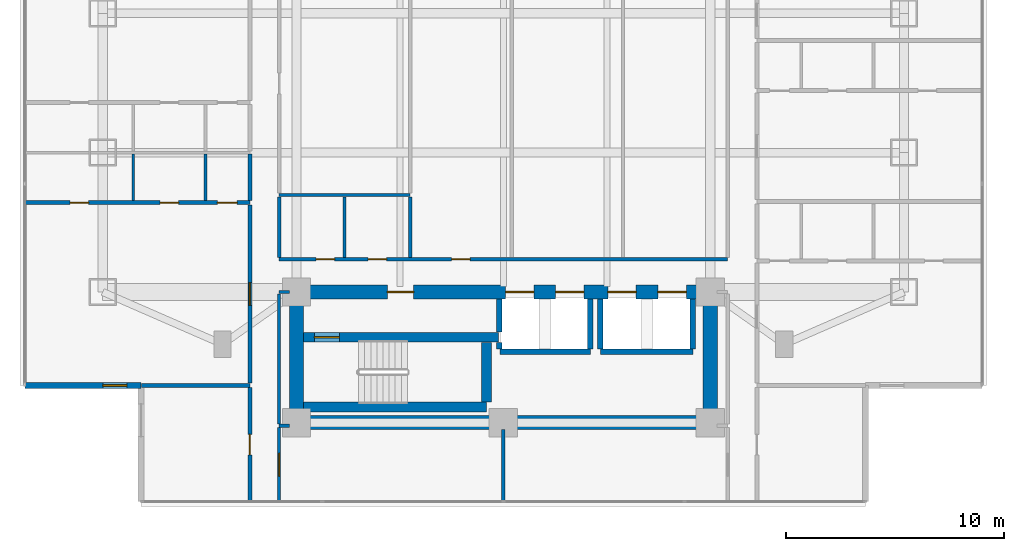
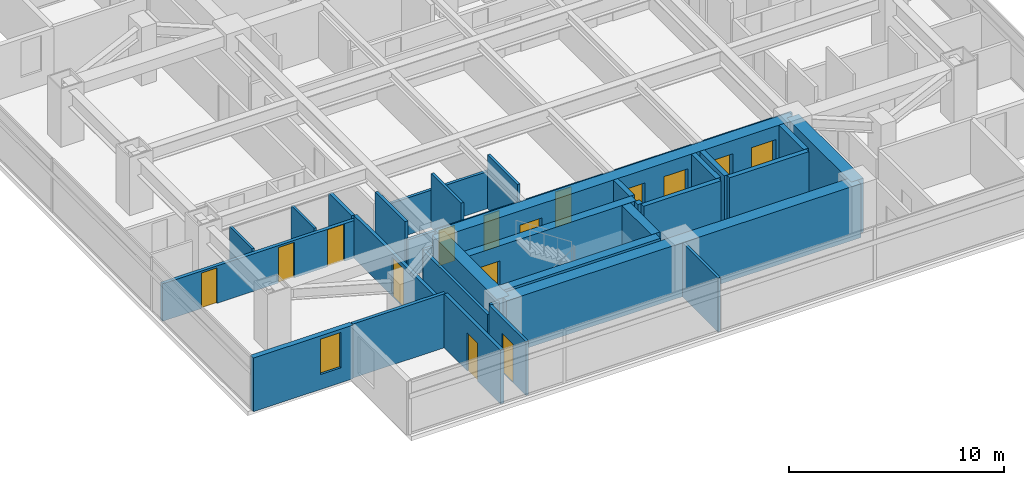
# One storey, part 13 of 24: 32 walls, 15 doors, 1 window, 16 openings.
"""IFC4 building model written with IfcOpenShell, lengths in metres."""

import ifcopenshell
import ifcopenshell.guid

model = None  # the IFC model being written
_history = None  # IfcOwnerHistory: only IFC2X3 demands one
_inside = {}  # id of a spatial element -> (the spatial element, [elements in it])
_under = {}  # id of a project, library or spatial element -> (it, [spatial elements below it])
_declared = {}  # id of a project -> (the project, [libraries it declares])
_typed = {}  # id of a type object -> (the type object, [elements of that type])
_made_of = {}  # id of a material, layer set ... -> (it, [elements and type objects made of it])


def new_model(schema):
    """Start an empty IFC model of exactly this schema.

    Asked for "IFC4X3", IfcOpenShell would pick the latest addendum, in which some entities
    have other attributes; the version numbers below select the first issue.
    IFC2X3 requires an IfcOwnerHistory on every rooted entity: one is made here for all.
    """
    global model, _history
    if schema == "IFC4X3":
        model = ifcopenshell.file(schema_version=(4, 3, 0, 0))
    else:
        model = ifcopenshell.file(schema=schema)
    _inside.clear()
    _under.clear()
    _declared.clear()
    _typed.clear()
    _made_of.clear()
    _history = None
    if model.schema == "IFC2X3":
        org = make("IfcOrganization", Name="unknown")
        user = make(
            "IfcPersonAndOrganization",
            ThePerson=make("IfcPerson", FamilyName="unknown"),
            TheOrganization=org,
        )
        app = make(
            "IfcApplication",
            ApplicationDeveloper=org,
            Version="unknown",
            ApplicationFullName="unknown",
            ApplicationIdentifier="unknown",
        )
        _history = make(
            "IfcOwnerHistory",
            OwningUser=user,
            OwningApplication=app,
            ChangeAction="ADDED",
            CreationDate=0,
        )
    return model


def make(cls, **values):
    """One entity of the class cls with the attributes given. An attribute that is None is left unset."""
    return model.create_entity(
        cls, **{name: value for name, value in values.items() if value is not None}
    )


def rooted(cls, **values):
    """An entity with a GlobalId (a new one), such as an element, a storey or a relation."""
    return make(cls, GlobalId=ifcopenshell.guid.new(), OwnerHistory=_history, **values)


def si_unit(unit_type, name, prefix=None):
    """IfcSIUnit, for example si_unit("LENGTHUNIT", "METRE", prefix="MILLI")."""
    return make("IfcSIUnit", UnitType=unit_type, Prefix=prefix, Name=name)


def assignment(units):
    """IfcUnitAssignment: the units of a project."""
    return None if units is None else make("IfcUnitAssignment", Units=units)


def point(xyz):
    """IfcCartesianPoint."""
    return None if xyz is None else make("IfcCartesianPoint", Coordinates=xyz)


def direction(xyz):
    """IfcDirection."""
    return None if xyz is None else make("IfcDirection", DirectionRatios=xyz)


def frame(location, z_axis=None, x_axis=None):
    """IfcAxis2Placement3D, a coordinate frame: its origin and axes. An axis left out is left unset."""
    return make(
        "IfcAxis2Placement3D",
        Location=point(location),
        Axis=direction(z_axis),
        RefDirection=direction(x_axis),
    )


def frame_2d(location, x_axis=None):
    """IfcAxis2Placement2D, a coordinate frame in the plane: its origin and x axis."""
    return make(
        "IfcAxis2Placement2D", Location=point(location), RefDirection=direction(x_axis)
    )


def origin():
    """The frame at (0, 0, 0) with its axes left unset."""
    return frame((0.0, 0.0, 0.0))


def place(relative_to, where):
    """IfcLocalPlacement: puts the frame where relative to a parent placement (None: the world)."""
    return make(
        "IfcLocalPlacement", PlacementRelTo=relative_to, RelativePlacement=where
    )


def context(
    kind, dimensions, precision=None, world=None, true_north=None, identifier=None
):
    """IfcGeometricRepresentationContext, for example the 3D "Model" context."""
    return make(
        "IfcGeometricRepresentationContext",
        ContextIdentifier=identifier,
        ContextType=kind,
        CoordinateSpaceDimension=dimensions,
        Precision=precision,
        WorldCoordinateSystem=world,
        TrueNorth=true_north,
    )


def subcontext(parent, identifier, kind, view, scale=None):
    """IfcGeometricRepresentationSubContext, for example "Body" below "Model"."""
    return make(
        "IfcGeometricRepresentationSubContext",
        ContextIdentifier=identifier,
        ContextType=kind,
        ParentContext=parent,
        TargetScale=scale,
        TargetView=view,
    )


def project(units=None, contexts=None):
    """IfcProject with its units and contexts."""
    return rooted(
        "IfcProject",
        Name="project",
        RepresentationContexts=contexts,
        UnitsInContext=assignment(units),
    )


def spatial(cls, under=None, at=None, **own):
    """A site, building, storey or space (cls), placed at a placement, below another one or the project."""
    s = rooted(cls, ObjectPlacement=at, **own)
    if under is not None:
        _under.setdefault(under.id(), (under, []))[1].append(s)
    return s


def profile(cls, at=None, kind="AREA", **sizes):
    """A parametric profile (cls). Its sizes go by their IFC names, for example OverallWidth=200.0."""
    return make(cls, ProfileType=kind, Position=at, **sizes)


def rectangle(**sizes):
    """IfcRectangleProfileDef."""
    return profile("IfcRectangleProfileDef", **sizes)


def extrude(swept, where, along, depth):
    """IfcExtrudedAreaSolid: the profile swept, set in the frame where, extruded along a direction by depth."""
    return make(
        "IfcExtrudedAreaSolid",
        SweptArea=swept,
        Position=where,
        ExtrudedDirection=direction(along),
        Depth=depth,
    )


def shape(context_of_items, identifier, shape_type, items):
    """IfcShapeRepresentation: the items that make up one representation, for example the "Body"."""
    return make(
        "IfcShapeRepresentation",
        ContextOfItems=context_of_items,
        RepresentationIdentifier=identifier,
        RepresentationType=shape_type,
        Items=items,
    )


def material(Name=None, Category=None):
    """IfcMaterial."""
    return make("IfcMaterial", Name=Name, Category=Category)


def layer(
    of_material, thickness, ventilated=None, Name=None, Category=None, Priority=None
):
    """IfcMaterialLayer: one layer of a wall or slab, of a material (None: an air gap)."""
    return make(
        "IfcMaterialLayer",
        Material=of_material,
        LayerThickness=thickness,
        IsVentilated=ventilated,
        Name=Name,
        Category=Category,
        Priority=Priority,
    )


def layer_set(layers, Name=None):
    """IfcMaterialLayerSet."""
    return make("IfcMaterialLayerSet", MaterialLayers=layers, LayerSetName=Name)


def made_of(thing, what):
    """Note that an element or type object is made of a material, layer set ...; save() writes the relation."""
    if what is not None:
        _made_of.setdefault(what.id(), (what, []))[1].append(thing)
    return thing


def type_object(cls, material=None, **own):
    """A type object (cls), such as IfcWallType, which elements share."""
    return made_of(rooted(cls, **own), material)


def element(
    cls,
    number,
    at=None,
    inside=None,
    cuts=None,
    type_object=None,
    material=None,
    context=None,
    identifier="Body",
    shape_type=None,
    held_by="IfcProductDefinitionShape",
    body=None,
    shapes=None,
    **own,
):
    """One element of the class cls, such as IfcWall. Its Tag is "e" and its number.

    at: its placement. inside: the storey or other place that contains it. cuts: it is an
    opening in that element (IfcRelVoidsElement). A single representation is given by context,
    identifier, shape_type and body (its items); several are given by shapes. held_by: the class
    of the entity that holds the representations. save() writes the other relations.
    """
    e = rooted(cls, Tag="e%d" % number, ObjectPlacement=at, **own)
    if body is not None:
        shapes = [shape(context, identifier, shape_type, body)]
    if shapes is not None:
        e.Representation = make(held_by, Representations=shapes)
    if inside is not None:
        _inside.setdefault(inside.id(), (inside, []))[1].append(e)
    if cuts is not None:
        rooted(
            "IfcRelVoidsElement", RelatingBuildingElement=cuts, RelatedOpeningElement=e
        )
    if type_object is not None:
        _typed.setdefault(type_object.id(), (type_object, []))[1].append(e)
    return made_of(e, material)


def fill(opening, filler):
    """IfcRelFillsElement: the door or window that sits in an opening."""
    return rooted(
        "IfcRelFillsElement",
        RelatingOpeningElement=opening,
        RelatedBuildingElement=filler,
    )


def aggregate(whole, parts):
    """IfcRelAggregates: a whole, such as a stair, and the parts it consists of."""
    return rooted("IfcRelAggregates", RelatingObject=whole, RelatedObjects=parts)


def save(model, path):
    """Write the relations noted so far, then the file.

    IfcRelAggregates (storeys below a building ...), IfcRelContainedInSpatialStructure (elements
    in a storey), IfcRelDefinesByType, IfcRelAssociatesMaterial and IfcRelDeclares: one each for
    every whole, place, type object, material and project.
    """
    for whole, parts in _under.values():
        aggregate(whole, parts)
    for where, things in _inside.values():
        rooted(
            "IfcRelContainedInSpatialStructure",
            RelatedElements=things,
            RelatingStructure=where,
        )
    for kind, things in _typed.values():
        rooted("IfcRelDefinesByType", RelatedObjects=things, RelatingType=kind)
    for what, things in _made_of.values():
        rooted("IfcRelAssociatesMaterial", RelatedObjects=things, RelatingMaterial=what)
    for by, libraries in _declared.values():
        rooted("IfcRelDeclares", RelatingContext=by, RelatedDefinitions=libraries)
    model.write(path)


model = new_model("IFC4")

# Units and contexts
model_context = context("Model", 3, precision=1e-05, world=origin(), true_north=direction((0.0, 1.0)))
body_context = subcontext(model_context, "Body", "Model", "MODEL_VIEW")
ifc_project = project(units=[si_unit("LENGTHUNIT", "METRE"), si_unit("AREAUNIT", "SQUARE_METRE"), si_unit("VOLUMEUNIT", "CUBIC_METRE"), si_unit("PLANEANGLEUNIT", "RADIAN"), si_unit("MASSUNIT", "GRAM", prefix="KILO")], contexts=[model_context])

# Site, building, storey
site_placement = place(None, origin())
site = spatial("IfcSite", under=ifc_project, at=site_placement, CompositionType="ELEMENT")
building_placement = place(site_placement, origin())
building = spatial("IfcBuilding", under=site, at=building_placement, Name="Mirazonda Arch Towers", CompositionType="ELEMENT")
storey_placement = place(building_placement, frame((0.0, 0.0, 68.60009765625)))
storey = spatial("IfcBuildingStorey", under=building, at=storey_placement, Name="L19", CompositionType="ELEMENT", Elevation=68.60009765625)

# Wall
ifc_material_1 = material(Name="Concrete C50/60", Category="concrete")
ifc_layer_1 = layer(ifc_material_1, 0.449951171875, Name="WALL-CORE-450")
ifc_layer_set_1 = layer_set([ifc_layer_1], Name="Concrete C50/60")
wall_type_1 = type_object("IfcWallType", Name="WALL-CORE-450", PredefinedType="SHEAR", material=ifc_layer_set_1)
wall_1_placement = place(storey_placement, frame((11.320068359375, 13.1201171875, 0.0), z_axis=(0.0, 0.0, 1.0), x_axis=(1.0, 0.0, 0.0)))
element("IfcWall", 1, at=wall_1_placement, inside=storey, type_object=wall_type_1, Name="L19 Stair Core Shear Wall 003", PredefinedType="SHEAR", context=body_context, shape_type="SweptSolid", body=[
    extrude(rectangle(XDim=8.409912109375, YDim=0.449951171875, at=frame_2d((4.205078125, 0.0))), origin(), (0.0, 0.0, 1.0), 3.059814453125),
])

# Wall, opening, door
wall_2_placement = place(storey_placement, frame((11.320068359375, 16.320068359375, 0.0), z_axis=(0.0, 0.0, 1.0), x_axis=(1.0, 0.0, 0.0)))
wall_2 = element("IfcWall", 2, at=wall_2_placement, inside=storey, type_object=wall_type_1, Name="L19 Stair Core Shear Wall 008", PredefinedType="SHEAR", context=body_context, shape_type="SweptSolid", body=[
    extrude(rectangle(XDim=8.9599609375, YDim=0.449951171875, at=frame_2d((4.47998046875, 0.0))), origin(), (0.0, 0.0, 1.0), 3.059814453125),
])
opening_1_placement = place(wall_2_placement, frame((0.4951171875, 0.0, 0.0)))
opening_1 = element("IfcOpeningElement", 3, at=opening_1_placement, cuts=wall_2, Name="Opening DR-135", PredefinedType="OPENING", context=body_context, shape_type="SweptSolid", body=[
    extrude(rectangle(XDim=1.14990234375, YDim=2.199951171875, at=frame_2d((0.574951171875, 1.10009765625))), frame((0.0, 0.23486328125, 0.0), z_axis=(0.0, -1.0, 0.0), x_axis=(1.0, 0.0, 0.0)), (0.0, 0.0, 1.0), 0.469970703125),
])
ifc_material_2 = material(Name="Architectural Brushed Steel S355", Category="steel")
door_type_1 = type_object("IfcDoorType", Name="DOOR-STAIR-FD90-1150", OperationType="NOTDEFINED", PredefinedType="DOOR", material=ifc_material_2)
door_1_placement = place(opening_1_placement, origin())
door_1 = element("IfcDoor", 4, at=door_1_placement, inside=storey, type_object=door_type_1, Name="L19 Protected Exit Stair South Door", OperationType="SINGLE_SWING_LEFT", OverallHeight=2.199951171875, OverallWidth=1.14990234375, PredefinedType="DOOR", context=body_context, shape_type="SweptSolid", body=[
    extrude(rectangle(XDim=1.14990234375, YDim=2.199951171875, at=frame_2d((0.574951171875, 1.10009765625))), frame((0.0, 0.02490234375, 0.0), z_axis=(0.0, -1.0, 0.0), x_axis=(1.0, 0.0, 0.0)), (0.0, 0.0, 1.0), 0.050048828125),
])
fill(opening_1, door_1)

# Walls
wall_3_placement = place(storey_placement, frame((19.72998046875, 13.35498046875, 0.0), z_axis=(0.0, 0.0, 1.0), x_axis=(0.0, 1.0, 0.0)))
element("IfcWall", 5, at=wall_3_placement, inside=storey, type_object=wall_type_1, Name="L19 Stair Core Shear Wall 079", PredefinedType="SHEAR", context=body_context, shape_type="SweptSolid", body=[
    extrude(rectangle(XDim=2.72998046875, YDim=0.449951171875, at=frame_2d((1.364990234375, 0.0))), origin(), (0.0, 0.0, 1.0), 3.059814453125),
])
ifc_material_3 = material(Name="Concrete C60/75", Category="concrete")
ifc_layer_2 = layer(ifc_material_3, 0.64990234375, Name="WALL-CORE-650")
ifc_layer_set_2 = layer_set([ifc_layer_2], Name="Concrete C60/75")
wall_type_2 = type_object("IfcWallType", Name="WALL-CORE-650", PredefinedType="SHEAR", material=ifc_layer_set_2)
wall_4_placement = place(storey_placement, frame((11.0, 12.39990234375, 0.0), z_axis=(0.0, 0.0, 1.0), x_axis=(1.0, 0.0, 0.0)))
element("IfcWall", 6, at=wall_4_placement, inside=storey, type_object=wall_type_2, Name="L19 T1S-S Core Shear Wall", PredefinedType="SHEAR", context=body_context, shape_type="SweptSolid", body=[
    extrude(rectangle(XDim=19.0, YDim=0.64990234375, at=frame_2d((9.5, 0.0))), origin(), (0.0, 0.0, 1.0), 3.059814453125),
])
for number, where, z_axis, x_axis, name in (
    (7, (11.0, 12.39990234375, 0.0), (0.0, 0.0, 1.0), (0.0, 1.0, 0.0), "L19 T1S-W Core Shear Wall"),
    (8, (30.0, 12.39990234375, 0.0), (0.0, 0.0, 1.0), (0.0, 1.0, 0.0), "L19 T1S-E Core Shear Wall"),
):
    element("IfcWall", number, at=place(storey_placement, frame(where, z_axis=z_axis, x_axis=x_axis)), inside=storey, type_object=wall_type_2, Name=name, PredefinedType="SHEAR", context=body_context, shape_type="SweptSolid", body=[
        extrude(rectangle(XDim=6.0, YDim=0.64990234375, at=frame_2d((3.0, 0.0))), origin(), (0.0, 0.0, 1.0), 3.059814453125),
    ])

# Wall, openings, doors
wall_5_placement = place(storey_placement, frame((11.0, 18.39990234375, 0.0), z_axis=(0.0, 0.0, 1.0), x_axis=(1.0, 0.0, 0.0)))
wall_5 = element("IfcWall", 9, at=wall_5_placement, inside=storey, type_object=wall_type_2, Name="L19 T1S-N Core Shear Wall", PredefinedType="SHEAR", context=body_context, shape_type="SweptSolid", body=[
    extrude(rectangle(XDim=19.0, YDim=0.64990234375, at=frame_2d((9.5, 0.0))), origin(), (0.0, 0.0, 1.0), 3.059814453125),
])
opening_2_placement = place(wall_5_placement, frame((4.175048828125, 0.0, 0.0)))
opening_2 = element("IfcOpeningElement", 10, at=opening_2_placement, cuts=wall_5, Name="Opening DR-117", PredefinedType="OPENING", context=body_context, shape_type="SweptSolid", body=[
    extrude(rectangle(XDim=1.199951171875, YDim=2.25, at=frame_2d((0.60009765625, 1.125))), frame((0.0, 0.3349609375, 0.0), z_axis=(0.0, -1.0, 0.0), x_axis=(1.0, 0.0, 0.0)), (0.0, 0.0, 1.0), 0.669921875),
])
opening_3_placement = place(wall_5_placement, frame((9.60009765625, 0.0, 0.0)))
opening_3 = element("IfcOpeningElement", 11, at=opening_3_placement, cuts=wall_5, Name="Opening LD-111", PredefinedType="OPENING", context=body_context, shape_type="SweptSolid", body=[
    extrude(rectangle(XDim=1.300048828125, YDim=2.300048828125, at=frame_2d((0.64990234375, 1.14990234375))), frame((0.0, 0.3349609375, 0.0), z_axis=(0.0, -1.0, 0.0), x_axis=(1.0, 0.0, 0.0)), (0.0, 0.0, 1.0), 0.669921875),
])
opening_4_placement = place(wall_5_placement, frame((11.89990234375, 0.0, 0.0)))
opening_4 = element("IfcOpeningElement", 12, at=opening_4_placement, cuts=wall_5, Name="Opening LD-111", PredefinedType="OPENING", context=body_context, shape_type="SweptSolid", body=[
    extrude(rectangle(XDim=1.300048828125, YDim=2.300048828125, at=frame_2d((0.64990234375, 1.14990234375))), frame((0.0, 0.3349609375, 0.0), z_axis=(0.0, -1.0, 0.0), x_axis=(1.0, 0.0, 0.0)), (0.0, 0.0, 1.0), 0.669921875),
])
opening_5_placement = place(wall_5_placement, frame((14.300048828125, 0.0, 0.0)))
opening_5 = element("IfcOpeningElement", 13, at=opening_5_placement, cuts=wall_5, Name="Opening LD-111", PredefinedType="OPENING", context=body_context, shape_type="SweptSolid", body=[
    extrude(rectangle(XDim=1.300048828125, YDim=2.300048828125, at=frame_2d((0.64990234375, 1.14990234375))), frame((0.0, 0.3349609375, 0.0), z_axis=(0.0, -1.0, 0.0), x_axis=(1.0, 0.0, 0.0)), (0.0, 0.0, 1.0), 0.669921875),
])
opening_6_placement = place(wall_5_placement, frame((16.60009765625, 0.0, 0.0)))
opening_6 = element("IfcOpeningElement", 14, at=opening_6_placement, cuts=wall_5, Name="Opening LD-111", PredefinedType="OPENING", context=body_context, shape_type="SweptSolid", body=[
    extrude(rectangle(XDim=1.300048828125, YDim=2.300048828125, at=frame_2d((0.64990234375, 1.14990234375))), frame((0.0, 0.3349609375, 0.0), z_axis=(0.0, -1.0, 0.0), x_axis=(1.0, 0.0, 0.0)), (0.0, 0.0, 1.0), 0.669921875),
])
door_type_2 = type_object("IfcDoorType", Name="DOOR-FFL-FD90-1200", OperationType="NOTDEFINED", PredefinedType="DOOR", material=ifc_material_2)
door_2_placement = place(opening_2_placement, origin())
door_2 = element("IfcDoor", 15, at=door_2_placement, inside=storey, type_object=door_type_2, Name="L19 South Core Stair & Lift Lobby Door", OperationType="SINGLE_SWING_RIGHT", OverallHeight=2.25, OverallWidth=1.199951171875, PredefinedType="DOOR", context=body_context, shape_type="SweptSolid", body=[
    extrude(rectangle(XDim=1.199951171875, YDim=2.25, at=frame_2d((0.60009765625, 1.125))), frame((0.0, 0.02490234375, 0.0), z_axis=(0.0, -1.0, 0.0), x_axis=(1.0, 0.0, 0.0)), (0.0, 0.0, 1.0), 0.050048828125),
])
fill(opening_2, door_2)
door_type_3 = type_object("IfcDoorType", Name="DOOR-LIFT-LAND-1300", OperationType="NOTDEFINED", PredefinedType="DOOR", material=ifc_material_2)
door_3_placement = place(opening_3_placement, origin())
door_3 = element("IfcDoor", 16, at=door_3_placement, inside=storey, type_object=door_type_3, Name="L19 Lift Landing Sliding Door PL-T1M1", OperationType="DOUBLE_DOOR_SLIDING", OverallHeight=2.300048828125, OverallWidth=1.300048828125, PredefinedType="DOOR", context=body_context, shape_type="SweptSolid", body=[
    extrude(rectangle(XDim=1.300048828125, YDim=2.300048828125, at=frame_2d((0.64990234375, 1.14990234375))), frame((0.0, 0.02490234375, 0.0), z_axis=(0.0, -1.0, 0.0), x_axis=(1.0, 0.0, 0.0)), (0.0, 0.0, 1.0), 0.050048828125),
])
fill(opening_3, door_3)
door_4_placement = place(opening_4_placement, origin())
door_4 = element("IfcDoor", 17, at=door_4_placement, inside=storey, type_object=door_type_3, Name="L19 Lift Landing Sliding Door PL-T1M2", OperationType="DOUBLE_DOOR_SLIDING", OverallHeight=2.300048828125, OverallWidth=1.300048828125, PredefinedType="DOOR", context=body_context, shape_type="SweptSolid", body=[
    extrude(rectangle(XDim=1.300048828125, YDim=2.300048828125, at=frame_2d((0.64990234375, 1.14990234375))), frame((0.0, 0.02490234375, 0.0), z_axis=(0.0, -1.0, 0.0), x_axis=(1.0, 0.0, 0.0)), (0.0, 0.0, 1.0), 0.050048828125),
])
fill(opening_4, door_4)
door_5_placement = place(opening_5_placement, origin())
door_5 = element("IfcDoor", 18, at=door_5_placement, inside=storey, type_object=door_type_3, Name="L19 Lift Landing Sliding Door PL-T1H1", OperationType="DOUBLE_DOOR_SLIDING", OverallHeight=2.300048828125, OverallWidth=1.300048828125, PredefinedType="DOOR", context=body_context, shape_type="SweptSolid", body=[
    extrude(rectangle(XDim=1.300048828125, YDim=2.300048828125, at=frame_2d((0.64990234375, 1.14990234375))), frame((0.0, 0.02490234375, 0.0), z_axis=(0.0, -1.0, 0.0), x_axis=(1.0, 0.0, 0.0)), (0.0, 0.0, 1.0), 0.050048828125),
])
fill(opening_5, door_5)
door_6_placement = place(opening_6_placement, origin())
door_6 = element("IfcDoor", 19, at=door_6_placement, inside=storey, type_object=door_type_3, Name="L19 Lift Landing Sliding Door PL-T1H2", OperationType="DOUBLE_DOOR_SLIDING", OverallHeight=2.300048828125, OverallWidth=1.300048828125, PredefinedType="DOOR", context=body_context, shape_type="SweptSolid", body=[
    extrude(rectangle(XDim=1.300048828125, YDim=2.300048828125, at=frame_2d((0.64990234375, 1.14990234375))), frame((0.0, 0.02490234375, 0.0), z_axis=(0.0, -1.0, 0.0), x_axis=(1.0, 0.0, 0.0)), (0.0, 0.0, 1.0), 0.050048828125),
])
fill(opening_6, door_6)

# Wall, opening, window
ifc_material_4 = material(Name="Precast Concrete C40/50", Category="concrete")
ifc_layer_3 = layer(ifc_material_4, 0.280029296875, Name="WALL-EXT-WALL-280")
ifc_layer_set_3 = layer_set([ifc_layer_3], Name="Precast Concrete C40/50")
wall_type_3 = type_object("IfcWallType", Name="WALL-EXT-WALL-280", PredefinedType="SOLIDWALL", material=ifc_layer_set_3)
wall_6_placement = place(storey_placement, frame((-1.47998046875, 14.110107421875, 0.0), z_axis=(0.0, 0.0, 1.0), x_axis=(1.0, 0.0, 0.0)))
wall_6 = element("IfcWall", 20, at=wall_6_placement, inside=storey, type_object=wall_type_3, Name="L19 T1 Corner Notch Return Wall WL-L19-T1-CSW2", PredefinedType="SOLIDWALL", context=body_context, shape_type="SweptSolid", body=[
    extrude(rectangle(XDim=5.340087890625, YDim=0.280029296875, at=frame_2d((2.669921875, 0.0))), origin(), (0.0, 0.0, 1.0), 3.039794921875),
])
opening_7_placement = place(wall_6_placement, frame((3.590087890625, 0.0, 0.85009765625)))
opening_7 = element("IfcOpeningElement", 21, at=opening_7_placement, cuts=wall_6, Name="Opening WN-108", PredefinedType="OPENING", context=body_context, shape_type="SweptSolid", body=[
    extrude(rectangle(XDim=1.10009765625, YDim=2.0, at=frame_2d((0.550048828125, 1.0))), frame((0.0, 0.14990234375, 0.0), z_axis=(0.0, -1.0, 0.0), x_axis=(1.0, 0.0, 0.0)), (0.0, 0.0, 1.0), 0.300048828125),
])
ifc_material_5 = material(Name="Insulated Low-E Solar Glass", Category="glass")
window_type = type_object("IfcWindowType", Name="WIN-NOTCH-1100x2000", PartitioningType="SINGLE_PANEL", PredefinedType="WINDOW", material=ifc_material_5)
window_placement = place(opening_7_placement, origin())
window = element("IfcWindow", 22, at=window_placement, inside=storey, type_object=window_type, Name="L19 Punched Facade Window WN-L19-T1-CSW2", OverallHeight=2.0, OverallWidth=1.10009765625, PartitioningType="SINGLE_PANEL", PredefinedType="WINDOW", context=body_context, shape_type="SweptSolid", body=[
    extrude(rectangle(XDim=1.10009765625, YDim=2.0, at=frame_2d((0.550048828125, 1.0))), frame((0.0, 0.030029296875, 0.0), z_axis=(0.0, -1.0, 0.0), x_axis=(1.0, 0.0, 0.0)), (0.0, 0.0, 1.0), 0.06005859375),
])
fill(opening_7, window)

# Walls
ifc_material_6 = material(Name="Fire-Rated Gypsum Stud Partition")
ifc_layer_4 = layer(ifc_material_6, 0.14990234375, Name="WALL-PART-CORR-150")
ifc_layer_set_4 = layer_set([ifc_layer_4], Name="Fire-Rated Gypsum Stud Partition")
wall_type_4 = type_object("IfcWallType", Name="WALL-PART-CORR-150", PredefinedType="PARTITIONING", material=ifc_layer_set_4)
wall_7_placement = place(storey_placement, frame((10.199951171875, 12.25, 0.0), z_axis=(0.0, 0.0, 1.0), x_axis=(1.0, 0.0, 0.0)))
element("IfcWall", 23, at=wall_7_placement, inside=storey, type_object=wall_type_4, Name="L19 Interior Partition 001", PredefinedType="PARTITIONING", context=body_context, shape_type="SweptSolid", body=[
    extrude(rectangle(XDim=0.47998046875, YDim=0.14990234375, at=frame_2d((0.239990234375, 0.0))), origin(), (0.0, 0.0, 1.0), 3.059814453125),
])
wall_8_placement = place(storey_placement, frame((10.199951171875, 18.39990234375, 0.0), z_axis=(0.0, 0.0, 1.0), x_axis=(1.0, 0.0, 0.0)))
element("IfcWall", 24, at=wall_8_placement, inside=storey, type_object=wall_type_4, Name="L19 Interior Partition 012", PredefinedType="PARTITIONING", context=body_context, shape_type="SweptSolid", body=[
    extrude(rectangle(XDim=0.47998046875, YDim=0.14990234375, at=frame_2d((0.239990234375, 0.0))), origin(), (0.0, 0.0, 1.0), 2.435791015625),
])

# Wall, openings, doors
wall_9_placement = place(storey_placement, frame((10.199951171875, 19.89990234375, 0.0), z_axis=(0.0, 0.0, 1.0), x_axis=(1.0, 0.0, 0.0)))
wall_9 = element("IfcWall", 25, at=wall_9_placement, inside=storey, type_object=wall_type_4, Name="L19 Interior Partition 015", PredefinedType="PARTITIONING", context=body_context, shape_type="SweptSolid", body=[
    extrude(rectangle(XDim=20.60009765625, YDim=0.14990234375, at=frame_2d((10.300048828125, 0.0))), origin(), (0.0, 0.0, 1.0), 2.10400390625),
])
opening_8_placement = place(wall_9_placement, frame((1.695068359375, 0.0, 0.0)))
opening_8 = element("IfcOpeningElement", 26, at=opening_8_placement, cuts=wall_9, Name="Opening DR-128", PredefinedType="OPENING", context=body_context, shape_type="SweptSolid", body=[
    extrude(rectangle(XDim=0.85009765625, YDim=2.010009765625, at=frame_2d((0.425048828125, 1.0048828125))), frame((0.0, 0.0849609375, 0.0), z_axis=(0.0, -1.0, 0.0), x_axis=(1.0, 0.0, 0.0)), (0.0, 0.0, 1.0), 0.169921875),
])
opening_9_placement = place(wall_9_placement, frame((4.0849609375, 0.0, 0.0)))
opening_9 = element("IfcOpeningElement", 27, at=opening_9_placement, cuts=wall_9, Name="Opening DR-128", PredefinedType="OPENING", context=body_context, shape_type="SweptSolid", body=[
    extrude(rectangle(XDim=0.85009765625, YDim=2.010009765625, at=frame_2d((0.425048828125, 1.0048828125))), frame((0.0, 0.0849609375, 0.0), z_axis=(0.0, -1.0, 0.0), x_axis=(1.0, 0.0, 0.0)), (0.0, 0.0, 1.0), 0.169921875),
])
opening_10_placement = place(wall_9_placement, frame((7.927978515625, 0.0, 0.0)))
opening_10 = element("IfcOpeningElement", 28, at=opening_10_placement, cuts=wall_9, Name="Opening DR-128", PredefinedType="OPENING", context=body_context, shape_type="SweptSolid", body=[
    extrude(rectangle(XDim=0.85009765625, YDim=2.010009765625, at=frame_2d((0.425048828125, 1.0048828125))), frame((0.0, 0.0849609375, 0.0), z_axis=(0.0, -1.0, 0.0), x_axis=(1.0, 0.0, 0.0)), (0.0, 0.0, 1.0), 0.169921875),
])
door_type_4 = type_object("IfcDoorType", Name="DOOR-RISER-FD60-850", OperationType="NOTDEFINED", PredefinedType="DOOR", material=ifc_material_2)
door_7_placement = place(opening_8_placement, origin())
door_7 = element("IfcDoor", 29, at=door_7_placement, inside=storey, type_object=door_type_4, Name="L19 Common Accessible WC Door", OperationType="SINGLE_SWING_RIGHT", OverallHeight=2.010009765625, OverallWidth=0.85009765625, PredefinedType="DOOR", context=body_context, shape_type="SweptSolid", body=[
    extrude(rectangle(XDim=0.85009765625, YDim=2.010009765625, at=frame_2d((0.425048828125, 1.0048828125))), frame((0.0, 0.02490234375, 0.0), z_axis=(0.0, -1.0, 0.0), x_axis=(1.0, 0.0, 0.0)), (0.0, 0.0, 1.0), 0.050048828125),
])
fill(opening_8, door_7)
door_8_placement = place(opening_9_placement, origin())
door_8 = element("IfcDoor", 30, at=door_8_placement, inside=storey, type_object=door_type_4, Name="L19 L19 West Courtyard Study Door", OperationType="SINGLE_SWING_LEFT", OverallHeight=2.010009765625, OverallWidth=0.85009765625, PredefinedType="DOOR", context=body_context, shape_type="SweptSolid", body=[
    extrude(rectangle(XDim=0.85009765625, YDim=2.010009765625, at=frame_2d((0.425048828125, 1.0048828125))), frame((0.0, 0.02490234375, 0.0), z_axis=(0.0, -1.0, 0.0), x_axis=(1.0, 0.0, 0.0)), (0.0, 0.0, 1.0), 0.050048828125),
])
fill(opening_9, door_8)
door_9_placement = place(opening_10_placement, origin())
door_9 = element("IfcDoor", 31, at=door_9_placement, inside=storey, type_object=door_type_4, Name="L19 Residents Private Library Door", OperationType="SINGLE_SWING_LEFT", OverallHeight=2.010009765625, OverallWidth=0.85009765625, PredefinedType="DOOR", context=body_context, shape_type="SweptSolid", body=[
    extrude(rectangle(XDim=0.85009765625, YDim=2.010009765625, at=frame_2d((0.425048828125, 1.0048828125))), frame((0.0, 0.02490234375, 0.0), z_axis=(0.0, -1.0, 0.0), x_axis=(1.0, 0.0, 0.0)), (0.0, 0.0, 1.0), 0.050048828125),
])
fill(opening_10, door_9)

# Wall
wall_10_placement = place(storey_placement, frame((10.199951171875, 22.85009765625, 0.0), z_axis=(0.0, 0.0, 1.0), x_axis=(1.0, 0.0, 0.0)))
element("IfcWall", 32, at=wall_10_placement, inside=storey, type_object=wall_type_4, Name="L19 Interior Partition 024", PredefinedType="PARTITIONING", context=body_context, shape_type="SweptSolid", body=[
    extrude(rectangle(XDim=6.02001953125, YDim=0.14990234375, at=frame_2d((3.010009765625, 0.0))), origin(), (0.0, 0.0, 1.0), 2.10400390625),
])

# Wall, opening, door
wall_11_placement = place(storey_placement, frame((10.199951171875, 8.77001953125, 0.0), z_axis=(0.0, 0.0, 1.0), x_axis=(0.0, 1.0, 0.0)))
wall_11 = element("IfcWall", 33, at=wall_11_placement, inside=storey, type_object=wall_type_4, Name="L19 Interior Partition 068", PredefinedType="PARTITIONING", context=body_context, shape_type="SweptSolid", body=[
    extrude(rectangle(XDim=3.39501953125, YDim=0.14990234375, at=frame_2d((1.697509765625, 0.0))), origin(), (0.0, 0.0, 1.0), 3.059814453125),
])
opening_11_placement = place(wall_11_placement, frame((1.172607421875, 0.0, 0.0)))
opening_11 = element("IfcOpeningElement", 34, at=opening_11_placement, cuts=wall_11, Name="Opening DR-121", PredefinedType="OPENING", context=body_context, shape_type="SweptSolid", body=[
    extrude(rectangle(XDim=1.050048828125, YDim=2.199951171875, at=frame_2d((0.52490234375, 1.10009765625))), frame((0.0, 0.0849609375, 0.0), z_axis=(0.0, -1.0, 0.0), x_axis=(1.0, 0.0, 0.0)), (0.0, 0.0, 1.0), 0.169921875),
])
door_type_5 = type_object("IfcDoorType", Name="DOOR-SUITE-FD60-1050", OperationType="NOTDEFINED", PredefinedType="DOOR", material=ifc_material_2)
door_10_placement = place(opening_11_placement, origin())
door_10 = element("IfcDoor", 35, at=door_10_placement, inside=storey, type_object=door_type_5, Name="L19 South Panoramic Study West Door", OperationType="SINGLE_SWING_RIGHT", OverallHeight=2.199951171875, OverallWidth=1.050048828125, PredefinedType="DOOR", context=body_context, shape_type="SweptSolid", body=[
    extrude(rectangle(XDim=1.050048828125, YDim=2.199951171875, at=frame_2d((0.52490234375, 1.10009765625))), frame((0.0, 0.02490234375, 0.0), z_axis=(0.0, -1.0, 0.0), x_axis=(1.0, 0.0, 0.0)), (0.0, 0.0, 1.0), 0.050048828125),
])
fill(opening_11, door_10)

# Walls
wall_12_placement = place(storey_placement, frame((10.199951171875, 12.3349609375, 0.0), z_axis=(0.0, 0.0, 1.0), x_axis=(0.0, 1.0, 0.0)))
element("IfcWall", 36, at=wall_12_placement, inside=storey, type_object=wall_type_4, Name="L19 Interior Partition 069", PredefinedType="PARTITIONING", context=body_context, shape_type="SweptSolid", body=[
    extrude(rectangle(XDim=5.97998046875, YDim=0.14990234375, at=frame_2d((2.989990234375, 0.0))), origin(), (0.0, 0.0, 1.0), 2.435791015625),
])
for number, where, z_axis, x_axis, name in (
    (37, (10.206787109375, 19.985107421875, 0.0), (0.0, 0.0, 1.0), (0.0, 1.0, 0.0), "L19 Interior Partition 070"),
    (38, (13.199951171875, 19.985107421875, 0.0), (0.0, 0.0, 1.0), (0.0, 1.0, 0.0), "L19 Interior Partition 075"),
    (39, (16.219970703125, 19.985107421875, 0.0), (0.0, 0.0, 1.0), (0.0, 1.0, 0.0), "L19 Interior Partition 077"),
):
    element("IfcWall", number, at=place(storey_placement, frame(where, z_axis=z_axis, x_axis=x_axis)), inside=storey, type_object=wall_type_4, Name=name, PredefinedType="PARTITIONING", context=body_context, shape_type="SweptSolid", body=[
        extrude(rectangle(XDim=2.77978515625, YDim=0.14990234375, at=frame_2d((1.389892578125, 0.0))), origin(), (0.0, 0.0, 1.0), 3.059814453125),
    ])
wall_13_placement = place(storey_placement, frame((20.5, 8.77001953125, 0.0), z_axis=(0.0, 0.0, 1.0), x_axis=(0.0, 1.0, 0.0)))
element("IfcWall", 40, at=wall_13_placement, inside=storey, type_object=wall_type_4, Name="L19 Interior Partition 084", PredefinedType="PARTITIONING", context=body_context, shape_type="SweptSolid", body=[
    extrude(rectangle(XDim=3.31005859375, YDim=0.14990234375, at=frame_2d((1.655029296875, 0.0))), origin(), (0.0, 0.0, 1.0), 3.059814453125),
])
ifc_material_7 = material(Name="Fire-Rated Gypsum Twin-Stud Assembly")
ifc_layer_5 = layer(ifc_material_7, 0.179931640625, Name="WALL-PART-DEMISE-180")
ifc_layer_set_5 = layer_set([ifc_layer_5], Name="Fire-Rated Gypsum Twin-Stud Assembly")
wall_type_5 = type_object("IfcWallType", Name="WALL-PART-DEMISE-180", PredefinedType="PARTITIONING", material=ifc_layer_set_5)
wall_14_placement = place(storey_placement, frame((3.8798828125, 14.110107421875, 0.0), z_axis=(0.0, 0.0, 1.0), x_axis=(1.0, 0.0, 0.0)))
element("IfcWall", 41, at=wall_14_placement, inside=storey, type_object=wall_type_5, Name="L19 Interior Partition 004", PredefinedType="PARTITIONING", context=body_context, shape_type="SweptSolid", body=[
    extrude(rectangle(XDim=4.980224609375, YDim=0.179931640625, at=frame_2d((2.490234375, 0.0))), origin(), (0.0, 0.0, 1.0), 3.059814453125),
])

# Wall, openings, doors
wall_15_placement = place(storey_placement, frame((-1.47998046875, 22.5, 0.0), z_axis=(0.0, 0.0, 1.0), x_axis=(1.0, 0.0, 0.0)))
wall_15 = element("IfcWall", 42, at=wall_15_placement, inside=storey, type_object=wall_type_5, Name="L19 Interior Partition 021", PredefinedType="PARTITIONING", context=body_context, shape_type="SweptSolid", body=[
    extrude(rectangle(XDim=10.340087890625, YDim=0.179931640625, at=frame_2d((5.169921875, 0.0))), origin(), (0.0, 0.0, 1.0), 2.125),
])
opening_12_placement = place(wall_15_placement, frame((2.0849609375, 0.0, 0.0)))
opening_12 = element("IfcOpeningElement", 43, at=opening_12_placement, cuts=wall_15, Name="Opening DR-128", PredefinedType="OPENING", context=body_context, shape_type="SweptSolid", body=[
    extrude(rectangle(XDim=0.85009765625, YDim=2.010009765625, at=frame_2d((0.425048828125, 1.0048828125))), frame((0.0, 0.099853515625, 0.0), z_axis=(0.0, -1.0, 0.0), x_axis=(1.0, 0.0, 0.0)), (0.0, 0.0, 1.0), 0.199951171875),
])
opening_13_placement = place(wall_15_placement, frame((6.215087890625, 0.0, 0.0)))
opening_13 = element("IfcOpeningElement", 44, at=opening_13_placement, cuts=wall_15, Name="Opening DR-128", PredefinedType="OPENING", context=body_context, shape_type="SweptSolid", body=[
    extrude(rectangle(XDim=0.85009765625, YDim=2.010009765625, at=frame_2d((0.425048828125, 1.0048828125))), frame((0.0, 0.099853515625, 0.0), z_axis=(0.0, -1.0, 0.0), x_axis=(1.0, 0.0, 0.0)), (0.0, 0.0, 1.0), 0.199951171875),
])
opening_14_placement = place(wall_15_placement, frame((8.85009765625, 0.0, 0.0)))
opening_14 = element("IfcOpeningElement", 45, at=opening_14_placement, cuts=wall_15, Name="Opening DR-120", PredefinedType="OPENING", context=body_context, shape_type="SweptSolid", body=[
    extrude(rectangle(XDim=0.89990234375, YDim=2.10009765625, at=frame_2d((0.449951171875, 1.050048828125))), frame((0.0, 0.099853515625, 0.0), z_axis=(0.0, -1.0, 0.0), x_axis=(1.0, 0.0, 0.0)), (0.0, 0.0, 1.0), 0.199951171875),
])
door_11_placement = place(opening_12_placement, origin())
door_11 = element("IfcDoor", 46, at=door_11_placement, inside=storey, type_object=door_type_4, Name="L19 Residence 1 Principal Bedroom Door", OperationType="SINGLE_SWING_RIGHT", OverallHeight=2.010009765625, OverallWidth=0.85009765625, PredefinedType="DOOR", context=body_context, shape_type="SweptSolid", body=[
    extrude(rectangle(XDim=0.85009765625, YDim=2.010009765625, at=frame_2d((0.425048828125, 1.0048828125))), frame((0.0, 0.02490234375, 0.0), z_axis=(0.0, -1.0, 0.0), x_axis=(1.0, 0.0, 0.0)), (0.0, 0.0, 1.0), 0.050048828125),
])
fill(opening_12, door_11)
door_12_placement = place(opening_13_placement, origin())
door_12 = element("IfcDoor", 47, at=door_12_placement, inside=storey, type_object=door_type_4, Name="L19 Residence 1 Fitted Kitchen Door", OperationType="SINGLE_SWING_LEFT", OverallHeight=2.010009765625, OverallWidth=0.85009765625, PredefinedType="DOOR", context=body_context, shape_type="SweptSolid", body=[
    extrude(rectangle(XDim=0.85009765625, YDim=2.010009765625, at=frame_2d((0.425048828125, 1.0048828125))), frame((0.0, 0.02490234375, 0.0), z_axis=(0.0, -1.0, 0.0), x_axis=(1.0, 0.0, 0.0)), (0.0, 0.0, 1.0), 0.050048828125),
])
fill(opening_13, door_12)
door_type_6 = type_object("IfcDoorType", Name="DOOR-WC-900", OperationType="NOTDEFINED", PredefinedType="DOOR", material=ifc_material_2)
door_13_placement = place(opening_14_placement, origin())
door_13 = element("IfcDoor", 48, at=door_13_placement, inside=storey, type_object=door_type_6, Name="L19 Residence 1 Bathroom Door", OperationType="SINGLE_SWING_RIGHT", OverallHeight=2.10009765625, OverallWidth=0.89990234375, PredefinedType="DOOR", context=body_context, shape_type="SweptSolid", body=[
    extrude(rectangle(XDim=0.89990234375, YDim=2.10009765625, at=frame_2d((0.449951171875, 1.050048828125))), frame((0.0, 0.02490234375, 0.0), z_axis=(0.0, -1.0, 0.0), x_axis=(1.0, 0.0, 0.0)), (0.0, 0.0, 1.0), 0.050048828125),
])
fill(opening_14, door_13)

# Wall, opening, door
wall_16_placement = place(storey_placement, frame((8.860107421875, 8.77001953125, 0.0), z_axis=(0.0, 0.0, 1.0), x_axis=(0.0, 1.0, 0.0)))
wall_16 = element("IfcWall", 49, at=wall_16_placement, inside=storey, type_object=wall_type_5, Name="L19 Interior Partition 062", PredefinedType="PARTITIONING", context=body_context, shape_type="SweptSolid", body=[
    extrude(rectangle(XDim=5.239990234375, YDim=0.179931640625, at=frame_2d((2.6201171875, 0.0))), origin(), (0.0, 0.0, 1.0), 3.059814453125),
])
opening_15_placement = place(wall_16_placement, frame((2.14501953125, 0.0, 0.0)))
opening_15 = element("IfcOpeningElement", 50, at=opening_15_placement, cuts=wall_16, Name="Opening DR-104", PredefinedType="OPENING", context=body_context, shape_type="SweptSolid", body=[
    extrude(rectangle(XDim=0.949951171875, YDim=2.14990234375, at=frame_2d((0.47509765625, 1.074951171875))), frame((0.0, 0.099853515625, 0.0), z_axis=(0.0, -1.0, 0.0), x_axis=(1.0, 0.0, 0.0)), (0.0, 0.0, 1.0), 0.199951171875),
])
door_type_7 = type_object("IfcDoorType", Name="DOOR-ROOM-950", OperationType="NOTDEFINED", PredefinedType="DOOR", material=ifc_material_2)
door_14_placement = place(opening_15_placement, origin())
door_14 = element("IfcDoor", 51, at=door_14_placement, inside=storey, type_object=door_type_7, Name="L19 South Panoramic Study Alcove West Door", OperationType="SINGLE_SWING_RIGHT", OverallHeight=2.14990234375, OverallWidth=0.949951171875, PredefinedType="DOOR", context=body_context, shape_type="SweptSolid", body=[
    extrude(rectangle(XDim=0.949951171875, YDim=2.14990234375, at=frame_2d((0.47509765625, 1.074951171875))), frame((0.0, 0.02490234375, 0.0), z_axis=(0.0, -1.0, 0.0), x_axis=(1.0, 0.0, 0.0)), (0.0, 0.0, 1.0), 0.050048828125),
])
fill(opening_15, door_14)

wall_17_placement = place(storey_placement, frame((8.860107421875, 14.2099609375, 0.0), z_axis=(0.0, 0.0, 1.0), x_axis=(0.0, 1.0, 0.0)))
wall_17 = element("IfcWall", 52, at=wall_17_placement, inside=storey, type_object=wall_type_5, Name="L19 Interior Partition 063", PredefinedType="PARTITIONING", context=body_context, shape_type="SweptSolid", body=[
    extrude(rectangle(XDim=8.18994140625, YDim=0.179931640625, at=frame_2d((4.094970703125, 0.0))), origin(), (0.0, 0.0, 1.0), 2.435791015625),
])
opening_16_placement = place(wall_17_placement, frame((3.570068359375, 0.0, 0.0)))
opening_16 = element("IfcOpeningElement", 53, at=opening_16_placement, cuts=wall_17, Name="Opening DR-121", PredefinedType="OPENING", context=body_context, shape_type="SweptSolid", body=[
    extrude(rectangle(XDim=1.050048828125, YDim=2.199951171875, at=frame_2d((0.52490234375, 1.10009765625))), frame((0.0, 0.099853515625, 0.0), z_axis=(0.0, -1.0, 0.0), x_axis=(1.0, 0.0, 0.0)), (0.0, 0.0, 1.0), 0.199951171875),
])
door_15_placement = place(opening_16_placement, origin())
door_15 = element("IfcDoor", 54, at=door_15_placement, inside=storey, type_object=door_type_5, Name="L19 Penthouse Residence 1 Living & Dining Salon Door", OperationType="SINGLE_SWING_LEFT", OverallHeight=2.199951171875, OverallWidth=1.050048828125, PredefinedType="DOOR", context=body_context, shape_type="SweptSolid", body=[
    extrude(rectangle(XDim=1.050048828125, YDim=2.199951171875, at=frame_2d((0.52490234375, 1.10009765625))), frame((0.0, 0.02490234375, 0.0), z_axis=(0.0, -1.0, 0.0), x_axis=(1.0, 0.0, 0.0)), (0.0, 0.0, 1.0), 0.050048828125),
])
fill(opening_16, door_15)

# Walls
wall_18_placement = place(storey_placement, frame((8.860107421875, 22.60009765625, 0.0), z_axis=(0.0, 0.0, 1.0), x_axis=(0.0, 1.0, 0.0)))
element("IfcWall", 55, at=wall_18_placement, inside=storey, type_object=wall_type_5, Name="L19 Interior Partition 064", PredefinedType="PARTITIONING", context=body_context, shape_type="SweptSolid", body=[
    extrude(rectangle(XDim=2.12744140625, YDim=0.179931640625, at=frame_2d((1.063720703125, 0.0))), origin(), (0.0, 0.0, 1.0), 2.27880859375),
])
ifc_material_8 = material(Name="Acoustic Fire-Rated Gypsum Partition")
ifc_layer_6 = layer(ifc_material_8, 0.125, Name="WALL-PART-UNIT-125")
ifc_layer_set_6 = layer_set([ifc_layer_6], Name="Acoustic Fire-Rated Gypsum Partition")
wall_type_6 = type_object("IfcWallType", Name="WALL-PART-UNIT-125", PredefinedType="PARTITIONING", material=ifc_layer_set_6)
for number, where, z_axis, x_axis, name in (
    (56, (3.5, 22.60009765625, 0.0), (0.0, 0.0, 1.0), (0.0, 1.0, 0.0), "L19 Interior Partition 058"),
    (57, (6.820068359375, 22.60009765625, 0.0), (0.0, 0.0, 1.0), (0.0, 1.0, 0.0), "L19 Interior Partition 060"),
):
    element("IfcWall", number, at=place(storey_placement, frame(where, z_axis=z_axis, x_axis=x_axis)), inside=storey, type_object=wall_type_6, Name=name, PredefinedType="PARTITIONING", context=body_context, shape_type="SweptSolid", body=[
        extrude(rectangle(XDim=2.12744140625, YDim=0.125, at=frame_2d((1.063720703125, 0.0))), origin(), (0.0, 0.0, 1.0), 2.27880859375),
    ])
ifc_material_9 = material(Name="Concrete C40/50", Category="concrete")
ifc_layer_7 = layer(ifc_material_9, 0.25, Name="WALL-SHAFT-250")
ifc_layer_set_7 = layer_set([ifc_layer_7], Name="Concrete C40/50")
wall_type_7 = type_object("IfcWallType", Name="WALL-SHAFT-250", PredefinedType="SOLIDWALL", material=ifc_layer_set_7)
wall_19_placement = place(storey_placement, frame((20.35009765625, 15.64990234375, 0.0), z_axis=(0.0, 0.0, 1.0), x_axis=(1.0, 0.0, 0.0)))
element("IfcWall", 58, at=wall_19_placement, inside=storey, type_object=wall_type_7, Name="L19 Interior Partition 006", PredefinedType="SOLIDWALL", context=body_context, shape_type="SweptSolid", body=[
    extrude(rectangle(XDim=4.14990234375, YDim=0.25, at=frame_2d((2.074951171875, 0.0))), origin(), (0.0, 0.0, 1.0), 3.059814453125),
])
wall_20_placement = place(storey_placement, frame((24.949951171875, 15.64990234375, 0.0), z_axis=(0.0, 0.0, 1.0), x_axis=(1.0, 0.0, 0.0)))
element("IfcWall", 59, at=wall_20_placement, inside=storey, type_object=wall_type_7, Name="L19 Interior Partition 007", PredefinedType="SOLIDWALL", context=body_context, shape_type="SweptSolid", body=[
    extrude(rectangle(XDim=4.25, YDim=0.25, at=frame_2d((2.125, 0.0))), origin(), (0.0, 0.0, 1.0), 3.059814453125),
])
wall_21_placement = place(storey_placement, frame((20.31494140625, 15.784912109375, 0.0), z_axis=(0.0, 0.0, 1.0), x_axis=(0.0, 1.0, 0.0)))
element("IfcWall", 60, at=wall_21_placement, inside=storey, type_object=wall_type_7, Name="L19 Interior Partition 081", PredefinedType="SOLIDWALL", context=body_context, shape_type="SweptSolid", body=[
    extrude(rectangle(XDim=0.300048828125, YDim=0.25, at=frame_2d((0.14990234375, 0.0))), origin(), (0.0, 0.0, 1.0), 3.059814453125),
])
wall_22_placement = place(storey_placement, frame((20.31494140625, 16.554931640625, 0.0), z_axis=(0.0, 0.0, 1.0), x_axis=(0.0, 1.0, 0.0)))
element("IfcWall", 61, at=wall_22_placement, inside=storey, type_object=wall_type_7, Name="L19 Interior Partition 082", PredefinedType="SOLIDWALL", context=body_context, shape_type="SweptSolid", body=[
    extrude(rectangle(XDim=1.525146484375, YDim=0.25, at=frame_2d((0.7626953125, 0.0))), origin(), (0.0, 0.0, 1.0), 3.059814453125),
])
for number, where, z_axis, x_axis, name in (
    (62, (24.5, 15.784912109375, 0.0), (0.0, 0.0, 1.0), (0.0, 1.0, 0.0), "L19 Interior Partition 087"),
    (63, (24.949951171875, 15.784912109375, 0.0), (0.0, 0.0, 1.0), (0.0, 1.0, 0.0), "L19 Interior Partition 089"),
    (64, (29.199951171875, 15.784912109375, 0.0), (0.0, 0.0, 1.0), (0.0, 1.0, 0.0), "L19 Interior Partition 093"),
):
    element("IfcWall", number, at=place(storey_placement, frame(where, z_axis=z_axis, x_axis=x_axis)), inside=storey, type_object=wall_type_7, Name=name, PredefinedType="SOLIDWALL", context=body_context, shape_type="SweptSolid", body=[
        extrude(rectangle(XDim=2.295166015625, YDim=0.25, at=frame_2d((1.1474609375, 0.0))), origin(), (0.0, 0.0, 1.0), 3.059814453125),
    ])

save(model, "model.ifc")
